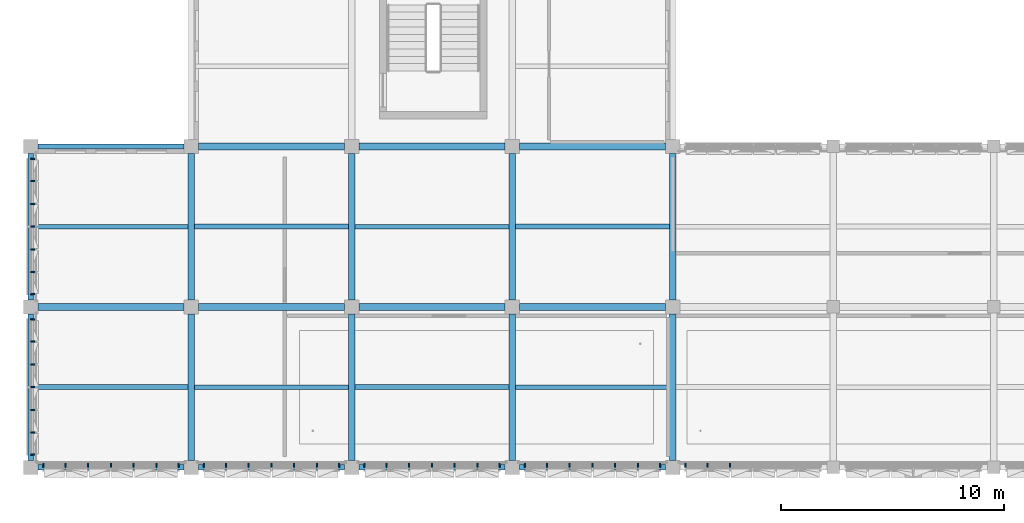
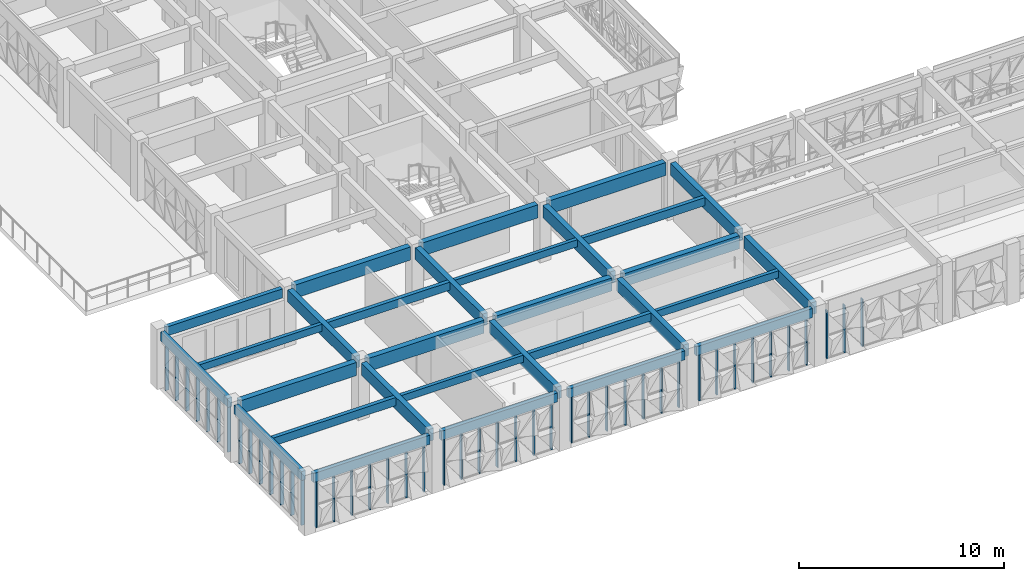
# One storey, part 2 of 85: 45 members, 30 beams, 7 elements without a shape of their own.
"""IFC4 building model written with IfcOpenShell, lengths in metres."""

from ifc_helpers import new_model, si_unit, direction, frame, origin, origin_2d, place, context, subcontext, project, spatial, rectangle, extrude, material, material_profile, profile_set, type_object, element, aggregate, save


model = new_model("IFC4")

# Units and contexts
model_context = context("Model", 3, precision=1e-05, world=origin(), true_north=direction((0.0, 1.0)))
body_context = subcontext(model_context, "Body", "Model", "MODEL_VIEW")
ifc_project = project(units=[si_unit("LENGTHUNIT", "METRE"), si_unit("AREAUNIT", "SQUARE_METRE"), si_unit("VOLUMEUNIT", "CUBIC_METRE"), si_unit("PLANEANGLEUNIT", "RADIAN"), si_unit("MASSUNIT", "GRAM", prefix="KILO")], contexts=[model_context])

# Site, building, storey
site_placement = place(None, origin())
site = spatial("IfcSite", under=ifc_project, at=site_placement, CompositionType="ELEMENT")
building_placement = place(site_placement, origin())
building = spatial("IfcBuilding", under=site, at=building_placement, Name="Alvorim Cloister Faculty of Sciences", CompositionType="ELEMENT")
storey_placement = place(building_placement, frame((0.0, 0.0, 8.550048828125)))
storey = spatial("IfcBuildingStorey", under=building, at=storey_placement, Name="L02", CompositionType="ELEMENT", Elevation=8.550048828125)

# Beams
ifc_material_1 = material(Name="Glulam GL32h", Category="wood")
ifc_material_profile_1 = material_profile(ifc_material_1, rectangle(XDim=0.300048828125, YDim=0.719970703125, at=origin_2d()), Name="GL32-BM-300x720")
ifc_profile_set_1 = profile_set([ifc_material_profile_1], Name="Glulam GL32h")
beam_type_1 = type_object("IfcBeamType", Name="BM-GL-300x720", PredefinedType="BEAM", material=ifc_profile_set_1)
beam_1_placement = place(storey_placement, frame((7.199951171875, 0.320068359375, 3.030029296875), z_axis=(0.0, 1.0, 0.0), x_axis=(-1.0, 0.0, 0.0)))
element("IfcBeam", 1, at=beam_1_placement, inside=storey, type_object=beam_type_1, Name="L02 Primary Girder BM-1349", PredefinedType="BEAM", context=body_context, shape_type="SweptSolid", body=[
    extrude(rectangle(XDim=0.300048828125, YDim=0.719970703125, at=origin_2d()), origin(), (0.0, 0.0, 1.0), 6.559814453125),
])
beam_2_placement = place(storey_placement, frame((7.199951171875, 7.52001953125, 3.030029296875), z_axis=(0.0, 1.0, 0.0), x_axis=(-1.0, 0.0, 0.0)))
element("IfcBeam", 2, at=beam_2_placement, inside=storey, type_object=beam_type_1, Name="L02 Primary Girder BM-1350", PredefinedType="BEAM", context=body_context, shape_type="SweptSolid", body=[
    extrude(rectangle(XDim=0.300048828125, YDim=0.719970703125, at=origin_2d()), origin(), (0.0, 0.0, 1.0), 6.56005859375),
])
beam_3_placement = place(storey_placement, frame((14.39990234375, 0.320068359375, 3.030029296875), z_axis=(0.0, 1.0, 0.0), x_axis=(-1.0, 0.0, 0.0)))
element("IfcBeam", 3, at=beam_3_placement, inside=storey, type_object=beam_type_1, Name="L02 Primary Girder BM-1365", PredefinedType="BEAM", context=body_context, shape_type="SweptSolid", body=[
    extrude(rectangle(XDim=0.300048828125, YDim=0.719970703125, at=origin_2d()), origin(), (0.0, 0.0, 1.0), 6.559814453125),
])
beam_4_placement = place(storey_placement, frame((14.39990234375, 7.52001953125, 3.030029296875), z_axis=(0.0, 1.0, 0.0), x_axis=(-1.0, 0.0, 0.0)))
element("IfcBeam", 4, at=beam_4_placement, inside=storey, type_object=beam_type_1, Name="L02 Primary Girder BM-1366", PredefinedType="BEAM", context=body_context, shape_type="SweptSolid", body=[
    extrude(rectangle(XDim=0.300048828125, YDim=0.719970703125, at=origin_2d()), origin(), (0.0, 0.0, 1.0), 6.56005859375),
])
beam_5_placement = place(storey_placement, frame((21.60009765625, 0.320068359375, 3.030029296875), z_axis=(0.0, 1.0, 0.0), x_axis=(-1.0, 0.0, 0.0)))
element("IfcBeam", 5, at=beam_5_placement, inside=storey, type_object=beam_type_1, Name="L02 Primary Girder BM-1381", PredefinedType="BEAM", context=body_context, shape_type="SweptSolid", body=[
    extrude(rectangle(XDim=0.300048828125, YDim=0.719970703125, at=origin_2d()), origin(), (0.0, 0.0, 1.0), 6.559814453125),
])
beam_6_placement = place(storey_placement, frame((21.60009765625, 7.52001953125, 3.030029296875), z_axis=(0.0, 1.0, 0.0), x_axis=(-1.0, 0.0, 0.0)))
element("IfcBeam", 6, at=beam_6_placement, inside=storey, type_object=beam_type_1, Name="L02 Primary Girder BM-1382", PredefinedType="BEAM", context=body_context, shape_type="SweptSolid", body=[
    extrude(rectangle(XDim=0.300048828125, YDim=0.719970703125, at=origin_2d()), origin(), (0.0, 0.0, 1.0), 6.56005859375),
])
beam_7_placement = place(storey_placement, frame((28.800048828125, 0.320068359375, 3.030029296875), z_axis=(0.0, 1.0, 0.0), x_axis=(-1.0, 0.0, 0.0)))
element("IfcBeam", 7, at=beam_7_placement, inside=storey, type_object=beam_type_1, Name="L02 Primary Girder BM-1397", PredefinedType="BEAM", context=body_context, shape_type="SweptSolid", body=[
    extrude(rectangle(XDim=0.300048828125, YDim=0.719970703125, at=origin_2d()), origin(), (0.0, 0.0, 1.0), 6.559814453125),
])
beam_8_placement = place(storey_placement, frame((28.800048828125, 7.52001953125, 3.030029296875), z_axis=(0.0, 1.0, 0.0), x_axis=(-1.0, 0.0, 0.0)))
element("IfcBeam", 8, at=beam_8_placement, inside=storey, type_object=beam_type_1, Name="L02 Primary Girder BM-1398", PredefinedType="BEAM", context=body_context, shape_type="SweptSolid", body=[
    extrude(rectangle(XDim=0.300048828125, YDim=0.719970703125, at=origin_2d()), origin(), (0.0, 0.0, 1.0), 6.56005859375),
])
ifc_material_profile_2 = material_profile(ifc_material_1, rectangle(XDim=0.320068359375, YDim=0.780029296875, at=origin_2d()), Name="GL32-BM-320x780")
ifc_profile_set_2 = profile_set([ifc_material_profile_2], Name="Glulam GL32h")
beam_type_2 = type_object("IfcBeamType", Name="BM-GL-320x780", PredefinedType="BEAM", material=ifc_profile_set_2)
beam_9_placement = place(storey_placement, frame((0.320068359375, 7.199951171875, 3.0), z_axis=(1.0, 0.0, 0.0), x_axis=(0.0, 1.0, 0.0)))
element("IfcBeam", 9, at=beam_9_placement, inside=storey, type_object=beam_type_2, Name="L02 Primary Beam BM-1257", PredefinedType="BEAM", context=body_context, shape_type="SweptSolid", body=[
    extrude(rectangle(XDim=0.320068359375, YDim=0.780029296875, at=origin_2d()), origin(), (0.0, 0.0, 1.0), 6.559814453125),
])
for number, where, z_axis, x_axis, name in (
    (10, (7.52001953125, 7.199951171875, 3.0), (1.0, 0.0, 0.0), (0.0, 1.0, 0.0), "L02 Primary Beam BM-1258"),
    (11, (14.719970703125, 7.199951171875, 3.0), (1.0, 0.0, 0.0), (0.0, 1.0, 0.0), "L02 Primary Beam BM-1259"),
    (12, (21.919921875, 7.199951171875, 3.0), (1.0, 0.0, 0.0), (0.0, 1.0, 0.0), "L02 Primary Beam BM-1260"),
    (13, (7.52001953125, 14.39990234375, 3.0), (1.0, 0.0, 0.0), (0.0, 1.0, 0.0), "L02 Primary Beam BM-1267"),
    (14, (14.719970703125, 14.39990234375, 3.0), (1.0, 0.0, 0.0), (0.0, 1.0, 0.0), "L02 Primary Beam BM-1268"),
    (15, (21.919921875, 14.39990234375, 3.0), (1.0, 0.0, 0.0), (0.0, 1.0, 0.0), "L02 Primary Beam BM-1269"),
):
    element("IfcBeam", number, at=place(storey_placement, frame(where, z_axis=z_axis, x_axis=x_axis)), inside=storey, type_object=beam_type_2, Name=name, PredefinedType="BEAM", context=body_context, shape_type="SweptSolid", body=[
        extrude(rectangle(XDim=0.320068359375, YDim=0.780029296875, at=origin_2d()), origin(), (0.0, 0.0, 1.0), 6.56005859375),
    ])
ifc_material_2 = material(Name="Glulam GL28h", Category="wood")
ifc_material_profile_3 = material_profile(ifc_material_2, rectangle(XDim=0.199951171875, YDim=0.419921875, at=origin_2d()), Name="GL28-JST-200x420")
ifc_profile_set_3 = profile_set([ifc_material_profile_3], Name="Glulam GL28h")
beam_type_3 = type_object("IfcBeamType", Name="BM-JST-GL-200x420", PredefinedType="JOIST", material=ifc_profile_set_3)
beam_10_placement = place(storey_placement, frame((0.1201171875, 10.800048828125, 3.179931640625), z_axis=(1.0, 0.0, 0.0), x_axis=(0.0, 1.0, 0.0)))
element("IfcBeam", 16, at=beam_10_placement, inside=storey, type_object=beam_type_3, Name="L02 Secondary Floor Joist BM-1438", PredefinedType="JOIST", context=body_context, shape_type="SweptSolid", body=[
    extrude(rectangle(XDim=0.199951171875, YDim=0.419921875, at=origin_2d()), origin(), (0.0, 0.0, 1.0), 6.929931640625),
])
for number, where, z_axis, x_axis, name in (
    (17, (7.35009765625, 3.60009765625, 3.179931640625), (1.0, 0.0, 0.0), (0.0, 1.0, 0.0), "L02 Secondary Floor Joist BM-1447"),
    (18, (14.550048828125, 10.800048828125, 3.179931640625), (1.0, 0.0, 0.0), (0.0, 1.0, 0.0), "L02 Secondary Floor Joist BM-1464"),
    (19, (21.75, 3.60009765625, 3.179931640625), (1.0, 0.0, 0.0), (0.0, 1.0, 0.0), "L02 Secondary Floor Joist BM-1471"),
):
    element("IfcBeam", number, at=place(storey_placement, frame(where, z_axis=z_axis, x_axis=x_axis)), inside=storey, type_object=beam_type_3, Name=name, PredefinedType="JOIST", context=body_context, shape_type="SweptSolid", body=[
        extrude(rectangle(XDim=0.199951171875, YDim=0.419921875, at=origin_2d()), origin(), (0.0, 0.0, 1.0), 6.89990234375),
    ])
ifc_material_profile_4 = material_profile(ifc_material_2, rectangle(XDim=0.219970703125, YDim=0.47998046875, at=origin_2d()), Name="GL28-JST-220x480")
ifc_profile_set_4 = profile_set([ifc_material_profile_4], Name="Glulam GL28h")
beam_type_4 = type_object("IfcBeamType", Name="BM-JST-GL-220x480", PredefinedType="JOIST", material=ifc_profile_set_4)
beam_11_placement = place(storey_placement, frame((0.1201171875, 3.60009765625, 3.14990234375), z_axis=(1.0, 0.0, 0.0), x_axis=(0.0, 1.0, 0.0)))
element("IfcBeam", 20, at=beam_11_placement, inside=storey, type_object=beam_type_4, Name="L02 Secondary Floor Joist BM-1437", PredefinedType="JOIST", context=body_context, shape_type="SweptSolid", body=[
    extrude(rectangle(XDim=0.219970703125, YDim=0.47998046875, at=origin_2d()), origin(), (0.0, 0.0, 1.0), 6.929931640625),
])
for number, where, z_axis, x_axis, name in (
    (21, (7.35009765625, 10.800048828125, 3.14990234375), (1.0, 0.0, 0.0), (0.0, 1.0, 0.0), "L02 Secondary Floor Joist BM-1448"),
    (22, (14.550048828125, 3.60009765625, 3.14990234375), (1.0, 0.0, 0.0), (0.0, 1.0, 0.0), "L02 Secondary Floor Joist BM-1463"),
    (23, (21.75, 10.800048828125, 3.14990234375), (1.0, 0.0, 0.0), (0.0, 1.0, 0.0), "L02 Secondary Floor Joist BM-1472"),
):
    element("IfcBeam", number, at=place(storey_placement, frame(where, z_axis=z_axis, x_axis=x_axis)), inside=storey, type_object=beam_type_4, Name=name, PredefinedType="JOIST", context=body_context, shape_type="SweptSolid", body=[
        extrude(rectangle(XDim=0.219970703125, YDim=0.47998046875, at=origin_2d()), origin(), (0.0, 0.0, 1.0), 6.89990234375),
    ])
ifc_material_profile_5 = material_profile(ifc_material_2, rectangle(XDim=0.239990234375, YDim=0.5400390625, at=origin_2d()), Name="GL28-SPD-240x540")
ifc_profile_set_5 = profile_set([ifc_material_profile_5], Name="Glulam GL28h")
beam_type_5 = type_object("IfcBeamType", Name="BM-SPD-GL-240x540", PredefinedType="SPANDREL", material=ifc_profile_set_5)
beam_12_placement = place(storey_placement, frame((0.320068359375, 0.0, 3.119873046875), z_axis=(1.0, 0.0, 0.0), x_axis=(0.0, 1.0, 0.0)))
element("IfcBeam", 24, at=beam_12_placement, inside=storey, type_object=beam_type_5, Name="L02 Primary Beam BM-1242", PredefinedType="SPANDREL", context=body_context, shape_type="SweptSolid", body=[
    extrude(rectangle(XDim=0.239990234375, YDim=0.5400390625, at=origin_2d()), origin(), (0.0, 0.0, 1.0), 6.559814453125),
])
for number, where, z_axis, x_axis, name in (
    (25, (7.52001953125, 0.0, 3.119873046875), (1.0, 0.0, 0.0), (0.0, 1.0, 0.0), "L02 Primary Beam BM-1243"),
    (26, (14.719970703125, 0.0, 3.119873046875), (1.0, 0.0, 0.0), (0.0, 1.0, 0.0), "L02 Primary Beam BM-1244"),
    (27, (21.919921875, 0.0, 3.119873046875), (1.0, 0.0, 0.0), (0.0, 1.0, 0.0), "L02 Primary Beam BM-1245"),
):
    element("IfcBeam", number, at=place(storey_placement, frame(where, z_axis=z_axis, x_axis=x_axis)), inside=storey, type_object=beam_type_5, Name=name, PredefinedType="SPANDREL", context=body_context, shape_type="SweptSolid", body=[
        extrude(rectangle(XDim=0.239990234375, YDim=0.5400390625, at=origin_2d()), origin(), (0.0, 0.0, 1.0), 6.56005859375),
    ])
for number, where, z_axis, x_axis, name in (
    (28, (0.320068359375, 14.39990234375, 3.119873046875), (1.0, 0.0, 0.0), (0.0, 1.0, 0.0), "L02 Primary Beam BM-1266"),
    (29, (0.0, 0.320068359375, 3.119873046875), (0.0, 1.0, 0.0), (-1.0, 0.0, 0.0), "L02 Primary Girder BM-1339"),
):
    element("IfcBeam", number, at=place(storey_placement, frame(where, z_axis=z_axis, x_axis=x_axis)), inside=storey, type_object=beam_type_5, Name=name, PredefinedType="SPANDREL", context=body_context, shape_type="SweptSolid", body=[
        extrude(rectangle(XDim=0.239990234375, YDim=0.5400390625, at=origin_2d()), origin(), (0.0, 0.0, 1.0), 6.559814453125),
    ])
beam_13_placement = place(storey_placement, frame((0.0, 7.52001953125, 3.119873046875), z_axis=(0.0, 1.0, 0.0), x_axis=(-1.0, 0.0, 0.0)))
element("IfcBeam", 30, at=beam_13_placement, inside=storey, type_object=beam_type_5, Name="L02 Primary Girder BM-1340", PredefinedType="SPANDREL", context=body_context, shape_type="SweptSolid", body=[
    extrude(rectangle(XDim=0.239990234375, YDim=0.5400390625, at=origin_2d()), origin(), (0.0, 0.0, 1.0), 6.56005859375),
])

# Curtain wall, members
ifc_material_3 = material(Name="Aluminium and Low-E Glass Curtain Wall", Category="aluminium")
curtain_wall_type = type_object("IfcCurtainWallType", Name="CW-TRI-6120x2850", PredefinedType="USERDEFINED", material=ifc_material_3)
curtain_wall_1_placement = place(storey_placement, origin())
curtain_wall_1 = element("IfcCurtainWall", 31, at=curtain_wall_1_placement, inside=storey, type_object=curtain_wall_type, Name="L02 Diagonal Cassette Curtain Wall CW-0083", ObjectType="UNITISED CURTAIN WALL", PredefinedType="USERDEFINED")
ifc_material_4 = material(Name="Aluminium Alloy 6063-T6", Category="aluminium")
ifc_material_profile_6 = material_profile(ifc_material_4, rectangle(XDim=0.06494140625, YDim=0.179931640625, at=origin_2d()), Name="ALU-MUL-65x180")
ifc_profile_set_6 = profile_set([ifc_material_profile_6], Name="Aluminium Alloy 6063-T6")
member_type = type_object("IfcMemberType", Name="CW-MUL-65x180", PredefinedType="MULLION", material=ifc_profile_set_6)
member_1_placement = place(storey_placement, frame((29.37255859375, 0.090087890625, 0.0), z_axis=(0.0, 0.0, 1.0), x_axis=(1.0, 0.0, 0.0)))
member_1 = element("IfcMember", 32, at=member_1_placement, type_object=member_type, Name="CW-0083 Mullion 1", PredefinedType="MULLION", context=body_context, shape_type="SweptSolid", body=[
    extrude(rectangle(XDim=0.06494140625, YDim=0.179931640625, at=origin_2d()), origin(), (0.0, 0.0, 1.0), 2.849853515625),
])
member_2_placement = place(storey_placement, frame((30.360107421875, 0.090087890625, 0.0), z_axis=(0.0, 0.0, 1.0), x_axis=(1.0, 0.0, 0.0)))
member_2 = element("IfcMember", 33, at=member_2_placement, type_object=member_type, Name="CW-0083 Mullion 2", PredefinedType="MULLION", context=body_context, shape_type="SweptSolid", body=[
    extrude(rectangle(XDim=0.06494140625, YDim=0.179931640625, at=origin_2d()), origin(), (0.0, 0.0, 1.0), 2.849853515625),
])
member_3_placement = place(storey_placement, frame((31.3798828125, 0.090087890625, 0.0), z_axis=(0.0, 0.0, 1.0), x_axis=(1.0, 0.0, 0.0)))
member_3 = element("IfcMember", 34, at=member_3_placement, type_object=member_type, Name="CW-0083 Mullion 3", PredefinedType="MULLION", context=body_context, shape_type="SweptSolid", body=[
    extrude(rectangle(XDim=0.06494140625, YDim=0.179931640625, at=origin_2d()), origin(), (0.0, 0.0, 1.0), 2.849853515625),
])
aggregate(curtain_wall_1, [member_1, member_2, member_3])

curtain_wall_2_placement = place(storey_placement, origin())
curtain_wall_2 = element("IfcCurtainWall", 35, at=curtain_wall_2_placement, inside=storey, type_object=curtain_wall_type, Name="L02 Diagonal Cassette Curtain Wall CW-0084", ObjectType="UNITISED CURTAIN WALL", PredefinedType="USERDEFINED")
member_4_placement = place(storey_placement, frame((22.172607421875, 0.090087890625, 0.0), z_axis=(0.0, 0.0, 1.0), x_axis=(1.0, 0.0, 0.0)))
member_4 = element("IfcMember", 36, at=member_4_placement, type_object=member_type, Name="CW-0084 Mullion 1", PredefinedType="MULLION", context=body_context, shape_type="SweptSolid", body=[
    extrude(rectangle(XDim=0.06494140625, YDim=0.179931640625, at=origin_2d()), origin(), (0.0, 0.0, 1.0), 2.849853515625),
])
member_5_placement = place(storey_placement, frame((23.159912109375, 0.090087890625, 0.0), z_axis=(0.0, 0.0, 1.0), x_axis=(1.0, 0.0, 0.0)))
member_5 = element("IfcMember", 37, at=member_5_placement, type_object=member_type, Name="CW-0084 Mullion 2", PredefinedType="MULLION", context=body_context, shape_type="SweptSolid", body=[
    extrude(rectangle(XDim=0.06494140625, YDim=0.179931640625, at=origin_2d()), origin(), (0.0, 0.0, 1.0), 2.849853515625),
])
member_6_placement = place(storey_placement, frame((24.179931640625, 0.090087890625, 0.0), z_axis=(0.0, 0.0, 1.0), x_axis=(1.0, 0.0, 0.0)))
member_6 = element("IfcMember", 38, at=member_6_placement, type_object=member_type, Name="CW-0084 Mullion 3", PredefinedType="MULLION", context=body_context, shape_type="SweptSolid", body=[
    extrude(rectangle(XDim=0.06494140625, YDim=0.179931640625, at=origin_2d()), origin(), (0.0, 0.0, 1.0), 2.849853515625),
])
member_7_placement = place(storey_placement, frame((25.199951171875, 0.090087890625, 0.0), z_axis=(0.0, 0.0, 1.0), x_axis=(1.0, 0.0, 0.0)))
member_7 = element("IfcMember", 39, at=member_7_placement, type_object=member_type, Name="CW-0084 Mullion 4", PredefinedType="MULLION", context=body_context, shape_type="SweptSolid", body=[
    extrude(rectangle(XDim=0.06494140625, YDim=0.179931640625, at=origin_2d()), origin(), (0.0, 0.0, 1.0), 2.849853515625),
])
member_8_placement = place(storey_placement, frame((26.219970703125, 0.090087890625, 0.0), z_axis=(0.0, 0.0, 1.0), x_axis=(1.0, 0.0, 0.0)))
member_8 = element("IfcMember", 40, at=member_8_placement, type_object=member_type, Name="CW-0084 Mullion 5", PredefinedType="MULLION", context=body_context, shape_type="SweptSolid", body=[
    extrude(rectangle(XDim=0.06494140625, YDim=0.179931640625, at=origin_2d()), origin(), (0.0, 0.0, 1.0), 2.849853515625),
])
member_9_placement = place(storey_placement, frame((27.239990234375, 0.090087890625, 0.0), z_axis=(0.0, 0.0, 1.0), x_axis=(1.0, 0.0, 0.0)))
member_9 = element("IfcMember", 41, at=member_9_placement, type_object=member_type, Name="CW-0084 Mullion 6", PredefinedType="MULLION", context=body_context, shape_type="SweptSolid", body=[
    extrude(rectangle(XDim=0.06494140625, YDim=0.179931640625, at=origin_2d()), origin(), (0.0, 0.0, 1.0), 2.849853515625),
])
member_10_placement = place(storey_placement, frame((28.2275390625, 0.090087890625, 0.0), z_axis=(0.0, 0.0, 1.0), x_axis=(1.0, 0.0, 0.0)))
member_10 = element("IfcMember", 42, at=member_10_placement, type_object=member_type, Name="CW-0084 Mullion 7", PredefinedType="MULLION", context=body_context, shape_type="SweptSolid", body=[
    extrude(rectangle(XDim=0.06494140625, YDim=0.179931640625, at=origin_2d()), origin(), (0.0, 0.0, 1.0), 2.849853515625),
])
aggregate(curtain_wall_2, [member_4, member_5, member_6, member_7, member_8, member_9, member_10])

curtain_wall_3_placement = place(storey_placement, origin())
curtain_wall_3 = element("IfcCurtainWall", 43, at=curtain_wall_3_placement, inside=storey, type_object=curtain_wall_type, Name="L02 Diagonal Cassette Curtain Wall CW-0085", ObjectType="UNITISED CURTAIN WALL", PredefinedType="USERDEFINED")
member_11_placement = place(storey_placement, frame((14.972412109375, 0.090087890625, 0.0), z_axis=(0.0, 0.0, 1.0), x_axis=(1.0, 0.0, 0.0)))
member_11 = element("IfcMember", 44, at=member_11_placement, type_object=member_type, Name="CW-0085 Mullion 1", PredefinedType="MULLION", context=body_context, shape_type="SweptSolid", body=[
    extrude(rectangle(XDim=0.06494140625, YDim=0.179931640625, at=origin_2d()), origin(), (0.0, 0.0, 1.0), 2.849853515625),
])
member_12_placement = place(storey_placement, frame((15.9599609375, 0.090087890625, 0.0), z_axis=(0.0, 0.0, 1.0), x_axis=(1.0, 0.0, 0.0)))
member_12 = element("IfcMember", 45, at=member_12_placement, type_object=member_type, Name="CW-0085 Mullion 2", PredefinedType="MULLION", context=body_context, shape_type="SweptSolid", body=[
    extrude(rectangle(XDim=0.06494140625, YDim=0.179931640625, at=origin_2d()), origin(), (0.0, 0.0, 1.0), 2.849853515625),
])
member_13_placement = place(storey_placement, frame((16.97998046875, 0.090087890625, 0.0), z_axis=(0.0, 0.0, 1.0), x_axis=(1.0, 0.0, 0.0)))
member_13 = element("IfcMember", 46, at=member_13_placement, type_object=member_type, Name="CW-0085 Mullion 3", PredefinedType="MULLION", context=body_context, shape_type="SweptSolid", body=[
    extrude(rectangle(XDim=0.06494140625, YDim=0.179931640625, at=origin_2d()), origin(), (0.0, 0.0, 1.0), 2.849853515625),
])
member_14_placement = place(storey_placement, frame((18.0, 0.090087890625, 0.0), z_axis=(0.0, 0.0, 1.0), x_axis=(1.0, 0.0, 0.0)))
member_14 = element("IfcMember", 47, at=member_14_placement, type_object=member_type, Name="CW-0085 Mullion 4", PredefinedType="MULLION", context=body_context, shape_type="SweptSolid", body=[
    extrude(rectangle(XDim=0.06494140625, YDim=0.179931640625, at=origin_2d()), origin(), (0.0, 0.0, 1.0), 2.849853515625),
])
member_15_placement = place(storey_placement, frame((19.02001953125, 0.090087890625, 0.0), z_axis=(0.0, 0.0, 1.0), x_axis=(1.0, 0.0, 0.0)))
member_15 = element("IfcMember", 48, at=member_15_placement, type_object=member_type, Name="CW-0085 Mullion 5", PredefinedType="MULLION", context=body_context, shape_type="SweptSolid", body=[
    extrude(rectangle(XDim=0.06494140625, YDim=0.179931640625, at=origin_2d()), origin(), (0.0, 0.0, 1.0), 2.849853515625),
])
member_16_placement = place(storey_placement, frame((20.0400390625, 0.090087890625, 0.0), z_axis=(0.0, 0.0, 1.0), x_axis=(1.0, 0.0, 0.0)))
member_16 = element("IfcMember", 49, at=member_16_placement, type_object=member_type, Name="CW-0085 Mullion 6", PredefinedType="MULLION", context=body_context, shape_type="SweptSolid", body=[
    extrude(rectangle(XDim=0.06494140625, YDim=0.179931640625, at=origin_2d()), origin(), (0.0, 0.0, 1.0), 2.849853515625),
])
member_17_placement = place(storey_placement, frame((21.027587890625, 0.090087890625, 0.0), z_axis=(0.0, 0.0, 1.0), x_axis=(1.0, 0.0, 0.0)))
member_17 = element("IfcMember", 50, at=member_17_placement, type_object=member_type, Name="CW-0085 Mullion 7", PredefinedType="MULLION", context=body_context, shape_type="SweptSolid", body=[
    extrude(rectangle(XDim=0.06494140625, YDim=0.179931640625, at=origin_2d()), origin(), (0.0, 0.0, 1.0), 2.849853515625),
])
aggregate(curtain_wall_3, [member_11, member_12, member_13, member_14, member_15, member_16, member_17])

curtain_wall_4_placement = place(storey_placement, origin())
curtain_wall_4 = element("IfcCurtainWall", 51, at=curtain_wall_4_placement, inside=storey, type_object=curtain_wall_type, Name="L02 Diagonal Cassette Curtain Wall CW-0086", ObjectType="UNITISED CURTAIN WALL", PredefinedType="USERDEFINED")
member_18_placement = place(storey_placement, frame((7.7724609375, 0.090087890625, 0.0), z_axis=(0.0, 0.0, 1.0), x_axis=(1.0, 0.0, 0.0)))
member_18 = element("IfcMember", 52, at=member_18_placement, type_object=member_type, Name="CW-0086 Mullion 1", PredefinedType="MULLION", context=body_context, shape_type="SweptSolid", body=[
    extrude(rectangle(XDim=0.06494140625, YDim=0.179931640625, at=origin_2d()), origin(), (0.0, 0.0, 1.0), 2.849853515625),
])
member_19_placement = place(storey_placement, frame((8.760009765625, 0.090087890625, 0.0), z_axis=(0.0, 0.0, 1.0), x_axis=(1.0, 0.0, 0.0)))
member_19 = element("IfcMember", 53, at=member_19_placement, type_object=member_type, Name="CW-0086 Mullion 2", PredefinedType="MULLION", context=body_context, shape_type="SweptSolid", body=[
    extrude(rectangle(XDim=0.06494140625, YDim=0.179931640625, at=origin_2d()), origin(), (0.0, 0.0, 1.0), 2.849853515625),
])
member_20_placement = place(storey_placement, frame((9.780029296875, 0.090087890625, 0.0), z_axis=(0.0, 0.0, 1.0), x_axis=(1.0, 0.0, 0.0)))
member_20 = element("IfcMember", 54, at=member_20_placement, type_object=member_type, Name="CW-0086 Mullion 3", PredefinedType="MULLION", context=body_context, shape_type="SweptSolid", body=[
    extrude(rectangle(XDim=0.06494140625, YDim=0.179931640625, at=origin_2d()), origin(), (0.0, 0.0, 1.0), 2.849853515625),
])
member_21_placement = place(storey_placement, frame((10.800048828125, 0.090087890625, 0.0), z_axis=(0.0, 0.0, 1.0), x_axis=(1.0, 0.0, 0.0)))
member_21 = element("IfcMember", 55, at=member_21_placement, type_object=member_type, Name="CW-0086 Mullion 4", PredefinedType="MULLION", context=body_context, shape_type="SweptSolid", body=[
    extrude(rectangle(XDim=0.06494140625, YDim=0.179931640625, at=origin_2d()), origin(), (0.0, 0.0, 1.0), 2.849853515625),
])
member_22_placement = place(storey_placement, frame((11.820068359375, 0.090087890625, 0.0), z_axis=(0.0, 0.0, 1.0), x_axis=(1.0, 0.0, 0.0)))
member_22 = element("IfcMember", 56, at=member_22_placement, type_object=member_type, Name="CW-0086 Mullion 5", PredefinedType="MULLION", context=body_context, shape_type="SweptSolid", body=[
    extrude(rectangle(XDim=0.06494140625, YDim=0.179931640625, at=origin_2d()), origin(), (0.0, 0.0, 1.0), 2.849853515625),
])
member_23_placement = place(storey_placement, frame((12.840087890625, 0.090087890625, 0.0), z_axis=(0.0, 0.0, 1.0), x_axis=(1.0, 0.0, 0.0)))
member_23 = element("IfcMember", 57, at=member_23_placement, type_object=member_type, Name="CW-0086 Mullion 6", PredefinedType="MULLION", context=body_context, shape_type="SweptSolid", body=[
    extrude(rectangle(XDim=0.06494140625, YDim=0.179931640625, at=origin_2d()), origin(), (0.0, 0.0, 1.0), 2.849853515625),
])
member_24_placement = place(storey_placement, frame((13.827392578125, 0.090087890625, 0.0), z_axis=(0.0, 0.0, 1.0), x_axis=(1.0, 0.0, 0.0)))
member_24 = element("IfcMember", 58, at=member_24_placement, type_object=member_type, Name="CW-0086 Mullion 7", PredefinedType="MULLION", context=body_context, shape_type="SweptSolid", body=[
    extrude(rectangle(XDim=0.06494140625, YDim=0.179931640625, at=origin_2d()), origin(), (0.0, 0.0, 1.0), 2.849853515625),
])
aggregate(curtain_wall_4, [member_18, member_19, member_20, member_21, member_22, member_23, member_24])

curtain_wall_5_placement = place(storey_placement, origin())
curtain_wall_5 = element("IfcCurtainWall", 59, at=curtain_wall_5_placement, inside=storey, type_object=curtain_wall_type, Name="L02 Diagonal Cassette Curtain Wall CW-0087", ObjectType="UNITISED CURTAIN WALL", PredefinedType="USERDEFINED")
member_25_placement = place(storey_placement, frame((0.572509765625, 0.090087890625, 0.0), z_axis=(0.0, 0.0, 1.0), x_axis=(1.0, 0.0, 0.0)))
member_25 = element("IfcMember", 60, at=member_25_placement, type_object=member_type, Name="CW-0087 Mullion 1", PredefinedType="MULLION", context=body_context, shape_type="SweptSolid", body=[
    extrude(rectangle(XDim=0.06494140625, YDim=0.179931640625, at=origin_2d()), origin(), (0.0, 0.0, 1.0), 2.849853515625),
])
member_26_placement = place(storey_placement, frame((1.56005859375, 0.090087890625, 0.0), z_axis=(0.0, 0.0, 1.0), x_axis=(1.0, 0.0, 0.0)))
member_26 = element("IfcMember", 61, at=member_26_placement, type_object=member_type, Name="CW-0087 Mullion 2", PredefinedType="MULLION", context=body_context, shape_type="SweptSolid", body=[
    extrude(rectangle(XDim=0.06494140625, YDim=0.179931640625, at=origin_2d()), origin(), (0.0, 0.0, 1.0), 2.849853515625),
])
member_27_placement = place(storey_placement, frame((2.580078125, 0.090087890625, 0.0), z_axis=(0.0, 0.0, 1.0), x_axis=(1.0, 0.0, 0.0)))
member_27 = element("IfcMember", 62, at=member_27_placement, type_object=member_type, Name="CW-0087 Mullion 3", PredefinedType="MULLION", context=body_context, shape_type="SweptSolid", body=[
    extrude(rectangle(XDim=0.06494140625, YDim=0.179931640625, at=origin_2d()), origin(), (0.0, 0.0, 1.0), 2.849853515625),
])
member_28_placement = place(storey_placement, frame((3.60009765625, 0.090087890625, 0.0), z_axis=(0.0, 0.0, 1.0), x_axis=(1.0, 0.0, 0.0)))
member_28 = element("IfcMember", 63, at=member_28_placement, type_object=member_type, Name="CW-0087 Mullion 4", PredefinedType="MULLION", context=body_context, shape_type="SweptSolid", body=[
    extrude(rectangle(XDim=0.06494140625, YDim=0.179931640625, at=origin_2d()), origin(), (0.0, 0.0, 1.0), 2.849853515625),
])
member_29_placement = place(storey_placement, frame((4.6201171875, 0.090087890625, 0.0), z_axis=(0.0, 0.0, 1.0), x_axis=(1.0, 0.0, 0.0)))
member_29 = element("IfcMember", 64, at=member_29_placement, type_object=member_type, Name="CW-0087 Mullion 5", PredefinedType="MULLION", context=body_context, shape_type="SweptSolid", body=[
    extrude(rectangle(XDim=0.06494140625, YDim=0.179931640625, at=origin_2d()), origin(), (0.0, 0.0, 1.0), 2.849853515625),
])
member_30_placement = place(storey_placement, frame((5.639892578125, 0.090087890625, 0.0), z_axis=(0.0, 0.0, 1.0), x_axis=(1.0, 0.0, 0.0)))
member_30 = element("IfcMember", 65, at=member_30_placement, type_object=member_type, Name="CW-0087 Mullion 6", PredefinedType="MULLION", context=body_context, shape_type="SweptSolid", body=[
    extrude(rectangle(XDim=0.06494140625, YDim=0.179931640625, at=origin_2d()), origin(), (0.0, 0.0, 1.0), 2.849853515625),
])
member_31_placement = place(storey_placement, frame((6.62744140625, 0.090087890625, 0.0), z_axis=(0.0, 0.0, 1.0), x_axis=(1.0, 0.0, 0.0)))
member_31 = element("IfcMember", 66, at=member_31_placement, type_object=member_type, Name="CW-0087 Mullion 7", PredefinedType="MULLION", context=body_context, shape_type="SweptSolid", body=[
    extrude(rectangle(XDim=0.06494140625, YDim=0.179931640625, at=origin_2d()), origin(), (0.0, 0.0, 1.0), 2.849853515625),
])
aggregate(curtain_wall_5, [member_25, member_26, member_27, member_28, member_29, member_30, member_31])

curtain_wall_6_placement = place(storey_placement, origin())
curtain_wall_6 = element("IfcCurtainWall", 67, at=curtain_wall_6_placement, inside=storey, type_object=curtain_wall_type, Name="L02 Diagonal Cassette Curtain Wall CW-0088", ObjectType="UNITISED CURTAIN WALL", PredefinedType="USERDEFINED")
member_32_placement = place(storey_placement, frame((0.090087890625, 0.572509765625, 0.0), z_axis=(0.0, 0.0, 1.0), x_axis=(0.0, 1.0, 0.0)))
member_32 = element("IfcMember", 68, at=member_32_placement, type_object=member_type, Name="CW-0088 Mullion 1", PredefinedType="MULLION", context=body_context, shape_type="SweptSolid", body=[
    extrude(rectangle(XDim=0.06494140625, YDim=0.179931640625, at=origin_2d()), origin(), (0.0, 0.0, 1.0), 2.849853515625),
])
member_33_placement = place(storey_placement, frame((0.090087890625, 1.56005859375, 0.0), z_axis=(0.0, 0.0, 1.0), x_axis=(0.0, 1.0, 0.0)))
member_33 = element("IfcMember", 69, at=member_33_placement, type_object=member_type, Name="CW-0088 Mullion 2", PredefinedType="MULLION", context=body_context, shape_type="SweptSolid", body=[
    extrude(rectangle(XDim=0.06494140625, YDim=0.179931640625, at=origin_2d()), origin(), (0.0, 0.0, 1.0), 2.849853515625),
])
member_34_placement = place(storey_placement, frame((0.090087890625, 2.580078125, 0.0), z_axis=(0.0, 0.0, 1.0), x_axis=(0.0, 1.0, 0.0)))
member_34 = element("IfcMember", 70, at=member_34_placement, type_object=member_type, Name="CW-0088 Mullion 3", PredefinedType="MULLION", context=body_context, shape_type="SweptSolid", body=[
    extrude(rectangle(XDim=0.06494140625, YDim=0.179931640625, at=origin_2d()), origin(), (0.0, 0.0, 1.0), 2.849853515625),
])
member_35_placement = place(storey_placement, frame((0.090087890625, 3.60009765625, 0.0), z_axis=(0.0, 0.0, 1.0), x_axis=(0.0, 1.0, 0.0)))
member_35 = element("IfcMember", 71, at=member_35_placement, type_object=member_type, Name="CW-0088 Mullion 4", PredefinedType="MULLION", context=body_context, shape_type="SweptSolid", body=[
    extrude(rectangle(XDim=0.06494140625, YDim=0.179931640625, at=origin_2d()), origin(), (0.0, 0.0, 1.0), 2.849853515625),
])
member_36_placement = place(storey_placement, frame((0.090087890625, 4.6201171875, 0.0), z_axis=(0.0, 0.0, 1.0), x_axis=(0.0, 1.0, 0.0)))
member_36 = element("IfcMember", 72, at=member_36_placement, type_object=member_type, Name="CW-0088 Mullion 5", PredefinedType="MULLION", context=body_context, shape_type="SweptSolid", body=[
    extrude(rectangle(XDim=0.06494140625, YDim=0.179931640625, at=origin_2d()), origin(), (0.0, 0.0, 1.0), 2.849853515625),
])
member_37_placement = place(storey_placement, frame((0.090087890625, 5.639892578125, 0.0), z_axis=(0.0, 0.0, 1.0), x_axis=(0.0, 1.0, 0.0)))
member_37 = element("IfcMember", 73, at=member_37_placement, type_object=member_type, Name="CW-0088 Mullion 6", PredefinedType="MULLION", context=body_context, shape_type="SweptSolid", body=[
    extrude(rectangle(XDim=0.06494140625, YDim=0.179931640625, at=origin_2d()), origin(), (0.0, 0.0, 1.0), 2.849853515625),
])
member_38_placement = place(storey_placement, frame((0.090087890625, 6.62744140625, 0.0), z_axis=(0.0, 0.0, 1.0), x_axis=(0.0, 1.0, 0.0)))
member_38 = element("IfcMember", 74, at=member_38_placement, type_object=member_type, Name="CW-0088 Mullion 7", PredefinedType="MULLION", context=body_context, shape_type="SweptSolid", body=[
    extrude(rectangle(XDim=0.06494140625, YDim=0.179931640625, at=origin_2d()), origin(), (0.0, 0.0, 1.0), 2.849853515625),
])
aggregate(curtain_wall_6, [member_32, member_33, member_34, member_35, member_36, member_37, member_38])

curtain_wall_7_placement = place(storey_placement, origin())
curtain_wall_7 = element("IfcCurtainWall", 75, at=curtain_wall_7_placement, inside=storey, type_object=curtain_wall_type, Name="L02 Diagonal Cassette Curtain Wall CW-0089", ObjectType="UNITISED CURTAIN WALL", PredefinedType="USERDEFINED")
member_39_placement = place(storey_placement, frame((0.090087890625, 7.7724609375, 0.0), z_axis=(0.0, 0.0, 1.0), x_axis=(0.0, 1.0, 0.0)))
member_39 = element("IfcMember", 76, at=member_39_placement, type_object=member_type, Name="CW-0089 Mullion 1", PredefinedType="MULLION", context=body_context, shape_type="SweptSolid", body=[
    extrude(rectangle(XDim=0.06494140625, YDim=0.179931640625, at=origin_2d()), origin(), (0.0, 0.0, 1.0), 2.849853515625),
])
member_40_placement = place(storey_placement, frame((0.090087890625, 8.760009765625, 0.0), z_axis=(0.0, 0.0, 1.0), x_axis=(0.0, 1.0, 0.0)))
member_40 = element("IfcMember", 77, at=member_40_placement, type_object=member_type, Name="CW-0089 Mullion 2", PredefinedType="MULLION", context=body_context, shape_type="SweptSolid", body=[
    extrude(rectangle(XDim=0.06494140625, YDim=0.179931640625, at=origin_2d()), origin(), (0.0, 0.0, 1.0), 2.849853515625),
])
member_41_placement = place(storey_placement, frame((0.090087890625, 9.780029296875, 0.0), z_axis=(0.0, 0.0, 1.0), x_axis=(0.0, 1.0, 0.0)))
member_41 = element("IfcMember", 78, at=member_41_placement, type_object=member_type, Name="CW-0089 Mullion 3", PredefinedType="MULLION", context=body_context, shape_type="SweptSolid", body=[
    extrude(rectangle(XDim=0.06494140625, YDim=0.179931640625, at=origin_2d()), origin(), (0.0, 0.0, 1.0), 2.849853515625),
])
member_42_placement = place(storey_placement, frame((0.090087890625, 10.800048828125, 0.0), z_axis=(0.0, 0.0, 1.0), x_axis=(0.0, 1.0, 0.0)))
member_42 = element("IfcMember", 79, at=member_42_placement, type_object=member_type, Name="CW-0089 Mullion 4", PredefinedType="MULLION", context=body_context, shape_type="SweptSolid", body=[
    extrude(rectangle(XDim=0.06494140625, YDim=0.179931640625, at=origin_2d()), origin(), (0.0, 0.0, 1.0), 2.849853515625),
])
member_43_placement = place(storey_placement, frame((0.090087890625, 11.820068359375, 0.0), z_axis=(0.0, 0.0, 1.0), x_axis=(0.0, 1.0, 0.0)))
member_43 = element("IfcMember", 80, at=member_43_placement, type_object=member_type, Name="CW-0089 Mullion 5", PredefinedType="MULLION", context=body_context, shape_type="SweptSolid", body=[
    extrude(rectangle(XDim=0.06494140625, YDim=0.179931640625, at=origin_2d()), origin(), (0.0, 0.0, 1.0), 2.849853515625),
])
member_44_placement = place(storey_placement, frame((0.090087890625, 12.840087890625, 0.0), z_axis=(0.0, 0.0, 1.0), x_axis=(0.0, 1.0, 0.0)))
member_44 = element("IfcMember", 81, at=member_44_placement, type_object=member_type, Name="CW-0089 Mullion 6", PredefinedType="MULLION", context=body_context, shape_type="SweptSolid", body=[
    extrude(rectangle(XDim=0.06494140625, YDim=0.179931640625, at=origin_2d()), origin(), (0.0, 0.0, 1.0), 2.849853515625),
])
member_45_placement = place(storey_placement, frame((0.090087890625, 13.827392578125, 0.0), z_axis=(0.0, 0.0, 1.0), x_axis=(0.0, 1.0, 0.0)))
member_45 = element("IfcMember", 82, at=member_45_placement, type_object=member_type, Name="CW-0089 Mullion 7", PredefinedType="MULLION", context=body_context, shape_type="SweptSolid", body=[
    extrude(rectangle(XDim=0.06494140625, YDim=0.179931640625, at=origin_2d()), origin(), (0.0, 0.0, 1.0), 2.849853515625),
])
aggregate(curtain_wall_7, [member_39, member_40, member_41, member_42, member_43, member_44, member_45])

save(model, "model.ifc")
